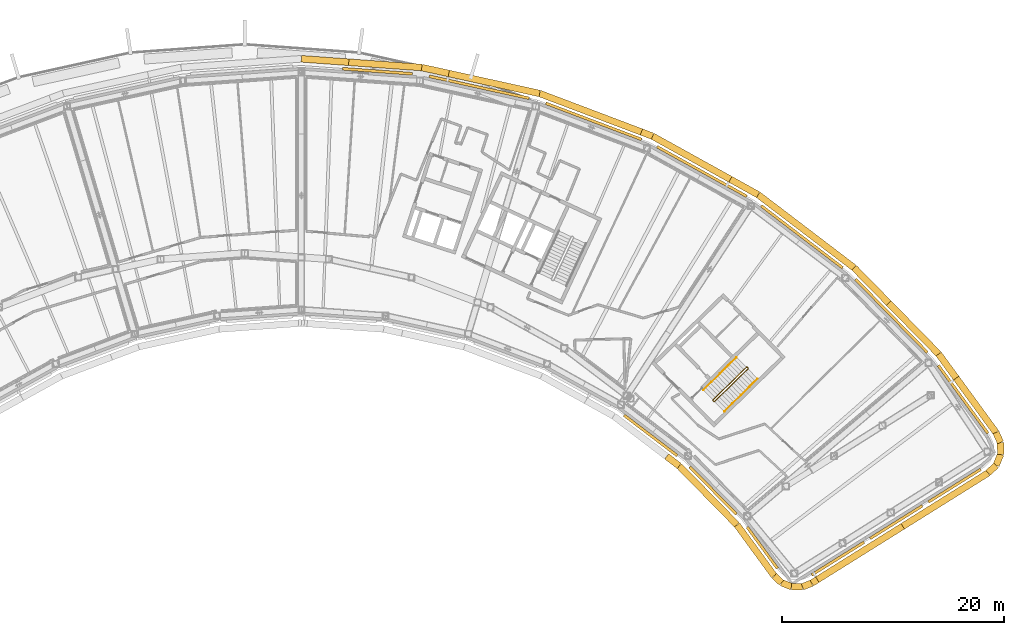
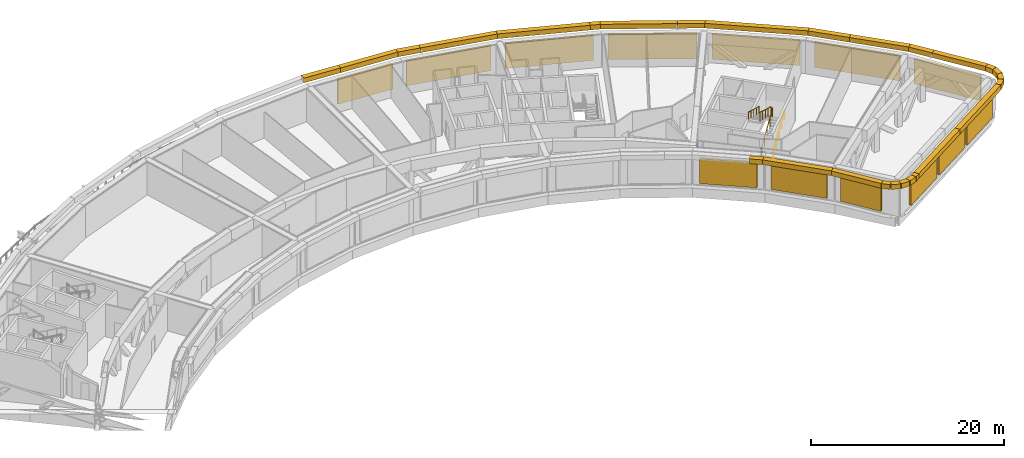
# One storey, part 22 of 24: 27 coverings, 13 shading devices, 3 railings.
"""IFC4 building model written with IfcOpenShell, lengths in metres."""

from ifc_helpers import new_model, si_unit, direction, frame, origin, origin_2d, place, context, subcontext, project, spatial, rectangle, circle, extrude, material, material_profile, profile_set, type_object, element, save


model = new_model("IFC4")

# Units and contexts
model_context = context("Model", 3, precision=1e-05, world=origin(), true_north=direction((0.0, 1.0)))
body_context = subcontext(model_context, "Body", "Model", "MODEL_VIEW")
ifc_project = project(units=[si_unit("LENGTHUNIT", "METRE"), si_unit("AREAUNIT", "SQUARE_METRE"), si_unit("VOLUMEUNIT", "CUBIC_METRE"), si_unit("PLANEANGLEUNIT", "RADIAN"), si_unit("MASSUNIT", "GRAM", prefix="KILO")], contexts=[model_context])

# Site, building, storey
site_placement = place(None, origin())
site = spatial("IfcSite", under=ifc_project, at=site_placement, CompositionType="ELEMENT")
building_placement = place(site_placement, origin())
building = spatial("IfcBuilding", under=site, at=building_placement, Name="Tuul Gate Civic Tower", CompositionType="ELEMENT")
storey_placement = place(building_placement, frame((0.0, 0.0, 243.89990234375)))
storey = spatial("IfcBuildingStorey", under=building, at=storey_placement, Name="Plant and refuge floor 6", CompositionType="ELEMENT", Elevation=243.89990234375)

# Shading devices
ifc_material_1 = material(Name="Aluminium louvre", Category="aluminium")
shading_device_type = type_object("IfcShadingDeviceType", Name="Louvre panel", PredefinedType="USERDEFINED", material=ifc_material_1)
shading_device_1_placement = place(storey_placement, frame((70.517578125, -15.931396484375, 0.300048828125), z_axis=(0.0, 0.0, 1.0), x_axis=(0.807538053993, 0.58981547229, 0.0)))
element("IfcShadingDevice", 1, at=shading_device_1_placement, inside=storey, type_object=shading_device_type, Name="Louvre panel", ObjectType="LOUVRE", PredefinedType="USERDEFINED", context=body_context, shape_type="SweptSolid", body=[
    extrude(rectangle(XDim=0.25, YDim=7.550048828125, at=origin_2d()), origin(), (0.0, 0.0, 1.0), 3.14990234375),
])
for number, where, z_axis, x_axis, name in (
    (2, (64.076171875, -8.426513671875, 0.300048828125), (0.0, 0.0, 1.0), (0.714145828559, 0.699996953959, 0.0), "Louvre panel"),
    (3, (56.029296875, -1.324951171875, 0.300048828125), (0.0, 0.0, 1.0), (0.605748672251, 0.79565604759, 0.0), "Louvre panel"),
    (4, (47.04248046875, 4.542236328125, 0.300048828125), (0.0, 0.0, 1.0), (0.48478912347, 0.874631068374, 0.0), "Louvre panel"),
    (5, (37.30419921875, 9.053955078125, 0.300048828125), (0.0, 0.0, 1.0), (0.35373363489, 0.935346200905, 0.0), "Louvre panel"),
    (6, (27.017333984375, 12.114990234375, 0.300048828125), (0.0, 0.0, 1.0), (0.215215147882, 0.976566659334, 0.0), "Louvre panel"),
):
    element("IfcShadingDevice", number, at=place(storey_placement, frame(where, z_axis=z_axis, x_axis=x_axis)), inside=storey, type_object=shading_device_type, Name=name, ObjectType="LOUVRE", PredefinedType="USERDEFINED", context=body_context, shape_type="SweptSolid", body=[
        extrude(rectangle(XDim=0.25, YDim=9.199951171875, at=origin_2d()), origin(), (0.0, 0.0, 1.0), 3.14990234375),
    ])
shading_device_2_placement = place(storey_placement, frame((17.86083984375, 13.5556640625, 0.300048828125), z_axis=(0.0, 0.0, 1.0), x_axis=(0.07223936563, 0.997387323989, 0.0)))
element("IfcShadingDevice", 7, at=shading_device_2_placement, inside=storey, type_object=shading_device_type, Name="Louvre panel", ObjectType="LOUVRE", PredefinedType="USERDEFINED", context=body_context, shape_type="SweptSolid", body=[
    extrude(rectangle(XDim=0.25, YDim=6.300048828125, at=origin_2d()), origin(), (0.0, 0.0, 1.0), 3.14990234375),
])
for number, where, z_axis, x_axis, name in (
    (8, (42.42919921875, -19.18701171875, 0.300048828125), (0.0, 0.0, 1.0), (-0.60576694824, -0.795642133386, 0.0), "Louvre panel"),
    (9, (48.044189453125, -24.14208984375, 0.300048828125), (0.0, 0.0, 1.0), (-0.714113208541, -0.700030231767, 0.0), "Louvre panel"),
):
    element("IfcShadingDevice", number, at=place(storey_placement, frame(where, z_axis=z_axis, x_axis=x_axis)), inside=storey, type_object=shading_device_type, Name=name, ObjectType="LOUVRE", PredefinedType="USERDEFINED", context=body_context, shape_type="SweptSolid", body=[
        extrude(rectangle(XDim=0.25, YDim=6.0, at=origin_2d()), origin(), (0.0, 0.0, 1.0), 3.14990234375),
    ])
shading_device_3_placement = place(storey_placement, frame((52.46728515625, -29.281005859375, 0.300048828125), z_axis=(0.0, 0.0, 1.0), x_axis=(-0.807595190444, -0.589737236717, 0.0)))
element("IfcShadingDevice", 10, at=shading_device_3_placement, inside=storey, type_object=shading_device_type, Name="Louvre panel", ObjectType="LOUVRE", PredefinedType="USERDEFINED", context=body_context, shape_type="SweptSolid", body=[
    extrude(rectangle(XDim=0.25, YDim=4.60009765625, at=origin_2d()), origin(), (0.0, 0.0, 1.0), 3.14990234375),
])
for number, where, z_axis, x_axis, name in (
    (11, (59.265869140625, -30.254638671875, 0.300048828125), (0.0, 0.0, 1.0), (0.529950479316, -0.848028590009, 0.0), "Louvre panel"),
    (12, (64.50927734375, -26.97802734375, 0.300048828125), (0.0, 0.0, 1.0), (0.529950479316, -0.848028590009, 0.0), "Louvre panel"),
    (13, (69.752685546875, -23.701416015625, 0.300048828125), (0.0, 0.0, 1.0), (0.529950479316, -0.848028590009, 0.0), "Louvre panel"),
):
    element("IfcShadingDevice", number, at=place(storey_placement, frame(where, z_axis=z_axis, x_axis=x_axis)), inside=storey, type_object=shading_device_type, Name=name, ObjectType="LOUVRE", PredefinedType="USERDEFINED", context=body_context, shape_type="SweptSolid", body=[
        extrude(rectangle(XDim=0.25, YDim=5.550048828125, at=origin_2d()), origin(), (0.0, 0.0, 1.0), 3.14990234375),
    ])

# Railings
ifc_material_2 = material(Name="Painted steel", Category="steel")
railing_type_1 = type_object("IfcRailingType", Name="Stair guard", PredefinedType="GUARDRAIL", material=ifc_material_2)
railing_1_placement = place(storey_placement, frame((48.10546875, -16.134765625, 0.0)))
element("IfcRailing", 14, at=railing_1_placement, inside=storey, type_object=railing_type_1, Name="Plant and refuge floor 6 ST-3 stair guard 1", PredefinedType="GUARDRAIL", context=body_context, shape_type="SweptSolid", body=[
    extrude(circle(Radius=0.02392578125, at=origin_2d()), frame((0.0, 0.0, 1.076171875), z_axis=(-0.698506948293, 0.715603272202, 0.0), x_axis=(-0.715603272202, -0.698506948293, 0.0)), (0.0, 0.0, 1.0), 0.099853515625),
    extrude(circle(Radius=0.02392578125, at=origin_2d()), frame((-0.06982421875, 0.071533203125, 1.076171875), z_axis=(0.644948864628, -0.331432055434, 0.688617277337), x_axis=(0.457068866502, 0.889431307788, 0.0)), (0.0, 0.0, 1.0), 0.218017578125),
    extrude(circle(Radius=0.02392578125, at=origin_2d()), frame((0.07080078125, -0.000732421875, 1.22607421875), z_axis=(0.63872519735, 0.62614306485, 0.44718562657), x_axis=(-0.700038283577, 0.714105315431, 0.0)), (0.0, 0.0, 1.0), 4.69580078125),
    extrude(circle(Radius=0.02392578125, at=origin_2d()), frame((3.070068359375, 2.939453125, 3.326171875), z_axis=(0.010380063588, 0.999946125689, 0.0), x_axis=(-0.999946125689, 0.010380063588, 0.0)), (0.0, 0.0, 1.0), 0.070556640625),
    extrude(circle(Radius=0.02392578125, at=origin_2d()), frame((3.07080078125, 3.010009765625, 3.326171875), z_axis=(-0.699754442181, 0.714383454909, 0.0), x_axis=(-0.714383454909, -0.699754442181, 0.0)), (0.0, 0.0, 1.0), 0.10009765625),
    extrude(circle(Radius=0.02392578125, at=origin_2d()), frame((3.000732421875, 3.08154296875, 3.326171875), z_axis=(-0.425296725904, 0.004414844906, 0.905043205643), x_axis=(-0.010380063588, -0.999946125689, 0.0)), (0.0, 0.0, 1.0), 0.166015625),
    extrude(circle(Radius=0.02392578125, at=origin_2d()), frame((2.93017578125, 3.082275390625, 3.47607421875), z_axis=(-0.638755976814, -0.626122271592, 0.447170776215), x_axis=(0.700009225839, -0.714133799606, 0.0)), (0.0, 0.0, 1.0), 4.69580078125),
    extrude(circle(Radius=0.02099609375, at=origin_2d()), origin(), (0.0, 0.0, 1.0), 1.052001953125),
    extrude(circle(Radius=0.02099609375, at=origin_2d()), frame((-0.06982421875, 0.071533203125, 0.0)), (0.0, 0.0, 1.0), 1.052001953125),
    extrude(circle(Radius=0.02099609375, at=origin_2d()), frame((0.07080078125, -0.000732421875, 0.150146484375)), (0.0, 0.0, 1.0), 1.052001953125),
    extrude(circle(Radius=0.02099609375, at=origin_2d()), frame((0.820556640625, 0.734375, 0.675048828125)), (0.0, 0.0, 1.0), 1.052001953125),
    extrude(circle(Radius=0.02099609375, at=origin_2d()), frame((1.5703125, 1.46923828125, 1.2001953125)), (0.0, 0.0, 1.0), 1.052001953125),
    extrude(circle(Radius=0.02099609375, at=origin_2d()), frame((2.3203125, 2.204345703125, 1.72509765625)), (0.0, 0.0, 1.0), 1.052001953125),
    extrude(circle(Radius=0.02099609375, at=origin_2d()), frame((3.070068359375, 2.939453125, 2.25)), (0.0, 0.0, 1.0), 1.052001953125),
    extrude(circle(Radius=0.02099609375, at=origin_2d()), frame((3.07080078125, 3.010009765625, 2.25)), (0.0, 0.0, 1.0), 1.052001953125),
    extrude(circle(Radius=0.02099609375, at=origin_2d()), frame((3.000732421875, 3.08154296875, 2.25)), (0.0, 0.0, 1.0), 1.052001953125),
    extrude(circle(Radius=0.02099609375, at=origin_2d()), frame((2.93017578125, 3.082275390625, 2.400146484375)), (0.0, 0.0, 1.0), 1.052001953125),
    extrude(circle(Radius=0.02099609375, at=origin_2d()), frame((2.18017578125, 2.34716796875, 2.925048828125)), (0.0, 0.0, 1.0), 1.052001953125),
    extrude(circle(Radius=0.02099609375, at=origin_2d()), frame((1.430419921875, 1.6123046875, 3.4501953125)), (0.0, 0.0, 1.0), 1.052001953125),
    extrude(circle(Radius=0.02099609375, at=origin_2d()), frame((0.6806640625, 0.877197265625, 3.97509765625)), (0.0, 0.0, 1.0), 1.052001953125),
    extrude(circle(Radius=0.02099609375, at=origin_2d()), frame((-0.0693359375, 0.14208984375, 4.5)), (0.0, 0.0, 1.0), 1.052001953125),
])
ifc_material_3 = material(Name="Painted steel", Category="steel")
railing_type_2 = type_object("IfcRailingType", Name="Stair handrail", PredefinedType="HANDRAIL", material=ifc_material_3)
railing_2_placement = place(storey_placement, frame((49.05126953125, -17.028076171875, 0.150146484375)))
element("IfcRailing", 15, at=railing_2_placement, inside=storey, type_object=railing_type_2, Name="Plant and refuge floor 6 ST-3 stair handrail 1", PredefinedType="HANDRAIL", context=body_context, shape_type="SweptSolid", body=[
    extrude(circle(Radius=0.02392578125, at=origin_2d()), frame((0.0, 0.0, 0.8759765625), z_axis=(0.63872519735, 0.62614306485, 0.44718562657), x_axis=(-0.700038283577, 0.714105315431, 0.0)), (0.0, 0.0, 1.0), 4.69580078125),
    extrude(circle(Radius=0.02099609375, at=origin_2d()), origin(), (0.0, 0.0, 1.0), 0.851806640625),
    extrude(circle(Radius=0.02099609375, at=origin_2d()), frame((0.749755859375, 0.735107421875, 0.52490234375)), (0.0, 0.0, 1.0), 0.851806640625),
    extrude(circle(Radius=0.02099609375, at=origin_2d()), frame((1.49951171875, 1.47021484375, 1.0498046875)), (0.0, 0.0, 1.0), 0.851806640625),
    extrude(circle(Radius=0.02099609375, at=origin_2d()), frame((2.24951171875, 2.205078125, 1.574951171875)), (0.0, 0.0, 1.0), 0.851806640625),
    extrude(circle(Radius=0.02099609375, at=origin_2d()), frame((2.999267578125, 2.940185546875, 2.099853515625)), (0.0, 0.0, 1.0), 0.851806640625),
])
railing_3_placement = place(storey_placement, frame((50.16064453125, -12.159912109375, 2.400146484375)))
element("IfcRailing", 16, at=railing_3_placement, inside=storey, type_object=railing_type_2, Name="Plant and refuge floor 6 ST-3 stair handrail 2", PredefinedType="HANDRAIL", context=body_context, shape_type="SweptSolid", body=[
    extrude(circle(Radius=0.02392578125, at=origin_2d()), frame((0.0, 0.0, 0.8759765625), z_axis=(-0.638776770035, -0.626090661303, 0.447185332824), x_axis=(0.699979580613, -0.714162857284, 0.0)), (0.0, 0.0, 1.0), 4.69580078125),
    extrude(circle(Radius=0.02099609375, at=origin_2d()), origin(), (0.0, 0.0, 1.0), 0.851806640625),
    extrude(circle(Radius=0.02099609375, at=origin_2d()), frame((-0.75, -0.73486328125, 0.52490234375)), (0.0, 0.0, 1.0), 0.851806640625),
    extrude(circle(Radius=0.02099609375, at=origin_2d()), frame((-1.499755859375, -1.469970703125, 1.0498046875)), (0.0, 0.0, 1.0), 0.851806640625),
    extrude(circle(Radius=0.02099609375, at=origin_2d()), frame((-2.24951171875, -2.205078125, 1.574951171875)), (0.0, 0.0, 1.0), 0.851806640625),
    extrude(circle(Radius=0.02099609375, at=origin_2d()), frame((-2.99951171875, -2.93994140625, 2.099853515625)), (0.0, 0.0, 1.0), 0.851806640625),
])

# Coverings
ifc_material_4 = material(Name="Terracotta baguette", Category="masonry")
ifc_material_profile = material_profile(ifc_material_4, rectangle(XDim=0.60009765625, YDim=0.60009765625, at=origin_2d()), Name="Terracotta baguette screen frame")
ifc_profile_set = profile_set([ifc_material_profile], Name="Terracotta baguette")
covering_type = type_object("IfcCoveringType", Name="Terracotta baguette screen frame", PredefinedType="CLADDING", material=ifc_profile_set)
covering_1_placement = place(storey_placement, frame((69.901611328125, -14.0283203125, 4.150146484375), z_axis=(-0.589838453856, 0.80752126805, 0.0), x_axis=(-0.80752126805, -0.589838453856, 0.0)))
element("IfcCovering", 17, at=covering_1_placement, inside=storey, type_object=covering_type, Name="Baguette 21", PredefinedType="CLADDING", context=body_context, shape_type="SweptSolid", body=[
    extrude(rectangle(XDim=0.60009765625, YDim=0.60009765625, at=origin_2d()), origin(), (0.0, 0.0, 1.0), 2.680419921875),
])
covering_2_placement = place(storey_placement, frame((68.320556640625, -11.86376953125, 4.150146484375), z_axis=(-0.700001676443, 0.714141199607, 0.0), x_axis=(-0.714141199607, -0.700001676443, 0.0)))
element("IfcCovering", 18, at=covering_2_placement, inside=storey, type_object=covering_type, Name="Baguette 22", PredefinedType="CLADDING", context=body_context, shape_type="SweptSolid", body=[
    extrude(rectangle(XDim=0.60009765625, YDim=0.60009765625, at=origin_2d()), origin(), (0.0, 0.0, 1.0), 6.406005859375),
])
covering_3_placement = place(storey_placement, frame((49.599853515625, 3.839599609375, 4.150146484375), z_axis=(-0.874640335778, 0.484772403329, 0.0), x_axis=(-0.484772403329, -0.874640335778, 0.0)))
element("IfcCovering", 19, at=covering_3_placement, inside=storey, type_object=covering_type, Name="Baguette 45", PredefinedType="CLADDING", context=body_context, shape_type="SweptSolid", body=[
    extrude(rectangle(XDim=0.60009765625, YDim=0.60009765625, at=origin_2d()), origin(), (0.0, 0.0, 1.0), 8.0029296875),
])
covering_4_placement = place(storey_placement, frame((42.60009765625, 7.71923828125, 4.150146484375), z_axis=(-0.93530259412, 0.353848918937, 0.0), x_axis=(-0.353848918937, -0.93530259412, 0.0)))
element("IfcCovering", 20, at=covering_4_placement, inside=storey, type_object=covering_type, Name="Baguette 46", PredefinedType="CLADDING", context=body_context, shape_type="SweptSolid", body=[
    extrude(rectangle(XDim=0.60009765625, YDim=0.60009765625, at=origin_2d()), origin(), (0.0, 0.0, 1.0), 1.0693359375),
])
covering_5_placement = place(storey_placement, frame((24.283203125, 13.357666015625, 4.150146484375), z_axis=(-0.976571103923, 0.215194978989, 0.0), x_axis=(-0.215194978989, -0.976571103923, 0.0)))
element("IfcCovering", 21, at=covering_5_placement, inside=storey, type_object=covering_type, Name="Baguette 63", PredefinedType="CLADDING", context=body_context, shape_type="SweptSolid", body=[
    extrude(rectangle(XDim=0.60009765625, YDim=0.60009765625, at=origin_2d()), origin(), (0.0, 0.0, 1.0), 2.488037109375),
])
covering_6_placement = place(storey_placement, frame((21.853515625, 13.89306640625, 4.150146484375), z_axis=(-0.997385338271, 0.07226677662, 0.0), x_axis=(-0.07226677662, -0.997385338271, 0.0)))
element("IfcCovering", 22, at=covering_6_placement, inside=storey, type_object=covering_type, Name="Baguette 64", PredefinedType="CLADDING", context=body_context, shape_type="SweptSolid", body=[
    extrude(rectangle(XDim=0.60009765625, YDim=0.60009765625, at=origin_2d()), origin(), (0.0, 0.0, 1.0), 6.58447265625),
])
covering_7_placement = place(storey_placement, frame((57.41650390625, -32.1474609375, 4.150146484375), z_axis=(0.848024059423, 0.529957729106, 0.0), x_axis=(-0.529957729106, 0.848024059423, 0.0)))
element("IfcCovering", 23, at=covering_7_placement, inside=storey, type_object=covering_type, Name="Baguette 282", PredefinedType="CLADDING", context=body_context, shape_type="SweptSolid", body=[
    extrude(rectangle(XDim=0.60009765625, YDim=0.60009765625, at=origin_2d()), origin(), (0.0, 0.0, 1.0), 9.052734375),
])
covering_8_placement = place(storey_placement, frame((63.83642578125, -7.2890625, 4.150146484375), z_axis=(-0.699986848634, 0.714155733534, 0.0), x_axis=(-0.714155733534, -0.699986848634, 0.0)))
element("IfcCovering", 24, at=covering_8_placement, inside=storey, type_object=covering_type, Name="Baguette 385", PredefinedType="CLADDING", context=body_context, shape_type="SweptSolid", body=[
    extrude(rectangle(XDim=0.60009765625, YDim=0.60009765625, at=origin_2d()), origin(), (0.0, 0.0, 1.0), 4.445556640625),
])
covering_9_placement = place(storey_placement, frame((60.724609375, -4.1142578125, 4.150146484375), z_axis=(-0.795662019665, 0.605740827798, 0.0), x_axis=(-0.605740827798, -0.795662019665, 0.0)))
element("IfcCovering", 25, at=covering_9_placement, inside=storey, type_object=covering_type, Name="Baguette 386", PredefinedType="CLADDING", context=body_context, shape_type="SweptSolid", body=[
    extrude(rectangle(XDim=0.60009765625, YDim=0.60009765625, at=origin_2d()), origin(), (0.0, 0.0, 1.0), 10.850830078125),
])
covering_10_placement = place(storey_placement, frame((52.091064453125, 2.45849609375, 4.150146484375), z_axis=(-0.874589524555, 0.484864067073, 0.0), x_axis=(-0.484864067073, -0.874589524555, 0.0)))
element("IfcCovering", 26, at=covering_10_placement, inside=storey, type_object=covering_type, Name="Baguette 387", PredefinedType="CLADDING", context=body_context, shape_type="SweptSolid", body=[
    extrude(rectangle(XDim=0.60009765625, YDim=0.60009765625, at=origin_2d()), origin(), (0.0, 0.0, 1.0), 2.848388671875),
])
covering_11_placement = place(storey_placement, frame((41.599853515625, 8.09765625, 4.150146484375), z_axis=(-0.935353222588, 0.353715067524, 0.0), x_axis=(-0.353715067524, -0.935353222588, 0.0)))
element("IfcCovering", 27, at=covering_11_placement, inside=storey, type_object=covering_type, Name="Baguette 388", PredefinedType="CLADDING", context=body_context, shape_type="SweptSolid", body=[
    extrude(rectangle(XDim=0.60009765625, YDim=0.60009765625, at=origin_2d()), origin(), (0.0, 0.0, 1.0), 9.78173828125),
])
covering_12_placement = place(storey_placement, frame((32.450439453125, 11.5576171875, 4.150146484375), z_axis=(-0.976562678292, 0.215233211582, 0.0), x_axis=(-0.215233211582, -0.976562678292, 0.0)))
element("IfcCovering", 28, at=covering_12_placement, inside=storey, type_object=covering_type, Name="Baguette 389", PredefinedType="CLADDING", context=body_context, shape_type="SweptSolid", body=[
    extrude(rectangle(XDim=0.60009765625, YDim=0.60009765625, at=origin_2d()), origin(), (0.0, 0.0, 1.0), 8.36328125),
])
covering_13_placement = place(storey_placement, frame((15.286376953125, 14.368896484375, 4.150146484375), z_axis=(-0.99738909846, 0.072214861862, 0.0), x_axis=(-0.072214861862, -0.99738909846, 0.0)))
element("IfcCovering", 29, at=covering_13_placement, inside=storey, type_object=covering_type, Name="Baguette 390", PredefinedType="CLADDING", context=body_context, shape_type="SweptSolid", body=[
    extrude(rectangle(XDim=0.60009765625, YDim=0.60009765625, at=origin_2d()), origin(), (0.0, 0.0, 1.0), 4.2666015625),
])
covering_14_placement = place(storey_placement, frame((43.873046875, -21.07177734375, 4.150146484375), z_axis=(0.795641108059, -0.60576829495, 0.0), x_axis=(0.60576829495, 0.795641108059, 0.0)))
element("IfcCovering", 30, at=covering_14_placement, inside=storey, type_object=covering_type, Name="Baguette 409", PredefinedType="CLADDING", context=body_context, shape_type="SweptSolid", body=[
    extrude(rectangle(XDim=0.60009765625, YDim=0.60009765625, at=origin_2d()), origin(), (0.0, 0.0, 1.0), 1.418212890625),
])
covering_15_placement = place(storey_placement, frame((45.00146484375, -21.930908203125, 4.150146484375), z_axis=(0.700028633045, -0.714114775731, 0.0), x_axis=(0.714114775731, 0.700028633045, 0.0)))
element("IfcCovering", 31, at=covering_15_placement, inside=storey, type_object=covering_type, Name="Baguette 410", PredefinedType="CLADDING", context=body_context, shape_type="SweptSolid", body=[
    extrude(rectangle(XDim=0.60009765625, YDim=0.60009765625, at=origin_2d()), origin(), (0.0, 0.0, 1.0), 7.41796875),
])
covering_16_placement = place(storey_placement, frame((50.1943359375, -27.228271484375, 4.150146484375), z_axis=(0.589729447422, -0.807600878432, 0.0), x_axis=(0.807600878432, 0.589729447422, 0.0)))
element("IfcCovering", 32, at=covering_16_placement, inside=storey, type_object=covering_type, Name="Baguette 411", PredefinedType="CLADDING", context=body_context, shape_type="SweptSolid", body=[
    extrude(rectangle(XDim=0.60009765625, YDim=0.60009765625, at=origin_2d()), origin(), (0.0, 0.0, 1.0), 5.671142578125),
])
covering_17_placement = place(storey_placement, frame((53.538818359375, -31.808349609375, 4.150146484375), z_axis=(0.730001285686, -0.683445771731, 0.0), x_axis=(0.683445771731, 0.730001285686, 0.0)))
element("IfcCovering", 33, at=covering_17_placement, inside=storey, type_object=covering_type, Name="Baguette 412", PredefinedType="CLADDING", context=body_context, shape_type="SweptSolid", body=[
    extrude(rectangle(XDim=0.60009765625, YDim=0.60009765625, at=origin_2d()), origin(), (0.0, 0.0, 1.0), 0.902099609375),
])
covering_18_placement = place(storey_placement, frame((54.197265625, -32.4248046875, 4.150146484375), z_axis=(0.929665294904, -0.368405265232, 0.0), x_axis=(0.368405265232, 0.929665294904, 0.0)))
element("IfcCovering", 34, at=covering_18_placement, inside=storey, type_object=covering_type, Name="Baguette 413", PredefinedType="CLADDING", context=body_context, shape_type="SweptSolid", body=[
    extrude(rectangle(XDim=0.60009765625, YDim=0.60009765625, at=origin_2d()), origin(), (0.0, 0.0, 1.0), 0.973388671875),
])
covering_19_placement = place(storey_placement, frame((55.102294921875, -32.783447265625, 4.150146484375), z_axis=(0.999990900757, -0.004265958673, 0.0), x_axis=(0.004265958673, 0.999990900757, 0.0)))
element("IfcCovering", 35, at=covering_19_placement, inside=storey, type_object=covering_type, Name="Baguette 414", PredefinedType="CLADDING", context=body_context, shape_type="SweptSolid", body=[
    extrude(rectangle(XDim=0.60009765625, YDim=0.60009765625, at=origin_2d()), origin(), (0.0, 0.0, 1.0), 0.972900390625),
])
covering_20_placement = place(storey_placement, frame((56.0751953125, -32.78759765625, 4.150146484375), z_axis=(0.93181662135, 0.362929447932, 0.0), x_axis=(-0.362929447932, 0.93181662135, 0.0)))
element("IfcCovering", 36, at=covering_20_placement, inside=storey, type_object=covering_type, Name="Baguette 415", PredefinedType="CLADDING", context=body_context, shape_type="SweptSolid", body=[
    extrude(rectangle(XDim=0.60009765625, YDim=0.60009765625, at=origin_2d()), origin(), (0.0, 0.0, 1.0), 0.902099609375),
])
covering_21_placement = place(storey_placement, frame((56.915771484375, -32.460205078125, 4.150146484375), z_axis=(0.848160890324, 0.529738713069, 0.0), x_axis=(-0.529738713069, 0.848160890324, 0.0)))
element("IfcCovering", 37, at=covering_21_placement, inside=storey, type_object=covering_type, Name="Baguette 416", PredefinedType="CLADDING", context=body_context, shape_type="SweptSolid", body=[
    extrude(rectangle(XDim=0.60009765625, YDim=0.60009765625, at=origin_2d()), origin(), (0.0, 0.0, 1.0), 0.59033203125),
])
covering_22_placement = place(storey_placement, frame((65.093505859375, -27.349853515625, 4.150146484375), z_axis=(0.848031633403, 0.529945609235, 0.0), x_axis=(-0.529945609235, 0.848031633403, 0.0)))
element("IfcCovering", 38, at=covering_22_placement, inside=storey, type_object=covering_type, Name="Baguette 417", PredefinedType="CLADDING", context=body_context, shape_type="SweptSolid", body=[
    extrude(rectangle(XDim=0.60009765625, YDim=0.60009765625, at=origin_2d()), origin(), (0.0, 0.0, 1.0), 9.052978515625),
])
covering_23_placement = place(storey_placement, frame((72.770751953125, -22.55224609375, 4.150146484375), z_axis=(0.722749211147, 0.69111039479, 0.0), x_axis=(-0.69111039479, 0.722749211147, 0.0)))
element("IfcCovering", 39, at=covering_23_placement, inside=storey, type_object=covering_type, Name="Baguette 418", PredefinedType="CLADDING", context=body_context, shape_type="SweptSolid", body=[
    extrude(rectangle(XDim=0.60009765625, YDim=0.60009765625, at=origin_2d()), origin(), (0.0, 0.0, 1.0), 0.98779296875),
])
covering_24_placement = place(storey_placement, frame((73.484619140625, -21.86962890625, 4.150146484375), z_axis=(0.385378072861, 0.922758766394, 0.0), x_axis=(-0.922758766394, 0.385378072861, 0.0)))
element("IfcCovering", 40, at=covering_24_placement, inside=storey, type_object=covering_type, Name="Baguette 419", PredefinedType="CLADDING", context=body_context, shape_type="SweptSolid", body=[
    extrude(rectangle(XDim=0.60009765625, YDim=0.60009765625, at=origin_2d()), origin(), (0.0, 0.0, 1.0), 1.068115234375),
])
covering_25_placement = place(storey_placement, frame((73.896240234375, -20.884033203125, 4.150146484375), z_axis=(-0.014650442147, 0.999892676513, 0.0), x_axis=(-0.999892676513, -0.014650442147, 0.0)))
element("IfcCovering", 41, at=covering_25_placement, inside=storey, type_object=covering_type, Name="Baguette 420", PredefinedType="CLADDING", context=body_context, shape_type="SweptSolid", body=[
    extrude(rectangle(XDim=0.60009765625, YDim=0.60009765625, at=origin_2d()), origin(), (0.0, 0.0, 1.0), 1.06640625),
])
covering_26_placement = place(storey_placement, frame((73.880615234375, -19.817626953125, 4.150146484375), z_axis=(-0.4130215853, 0.910721236206, 0.0), x_axis=(-0.910721236206, -0.4130215853, 0.0)))
element("IfcCovering", 42, at=covering_26_placement, inside=storey, type_object=covering_type, Name="Baguette 421", PredefinedType="CLADDING", context=body_context, shape_type="SweptSolid", body=[
    extrude(rectangle(XDim=0.60009765625, YDim=0.60009765625, at=origin_2d()), origin(), (0.0, 0.0, 1.0), 0.989013671875),
])
covering_27_placement = place(storey_placement, frame((73.47216796875, -18.9169921875, 4.150146484375), z_axis=(-0.589808275689, 0.807543310249, 0.0), x_axis=(-0.807543310249, -0.589808275689, 0.0)))
element("IfcCovering", 43, at=covering_27_placement, inside=storey, type_object=covering_type, Name="Baguette 422", PredefinedType="CLADDING", context=body_context, shape_type="SweptSolid", body=[
    extrude(rectangle(XDim=0.60009765625, YDim=0.60009765625, at=origin_2d()), origin(), (0.0, 0.0, 1.0), 6.0537109375),
])

save(model, "model.ifc")
